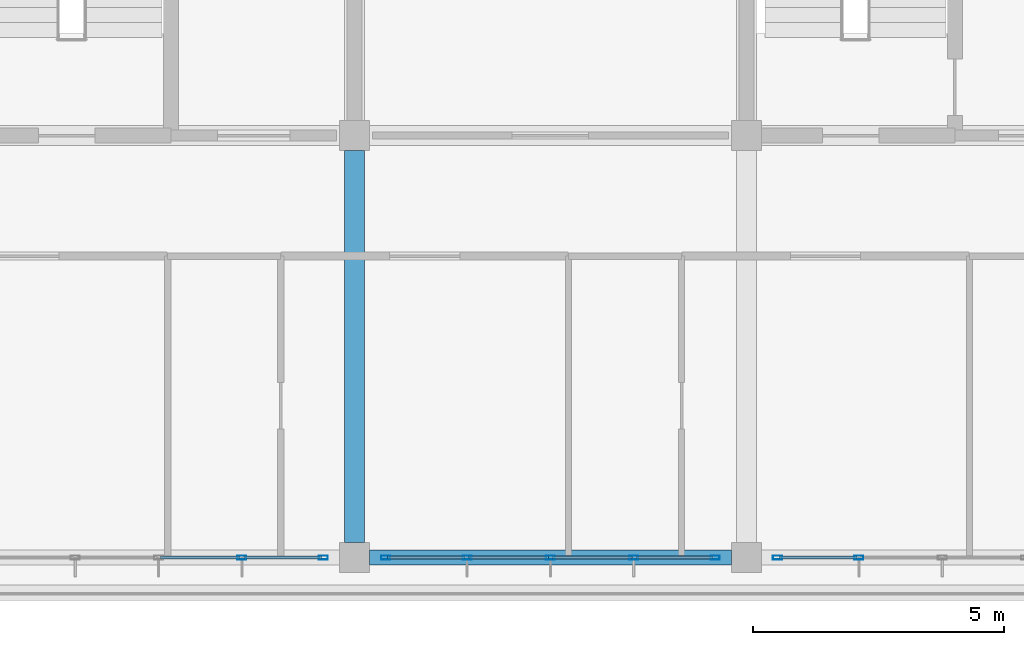
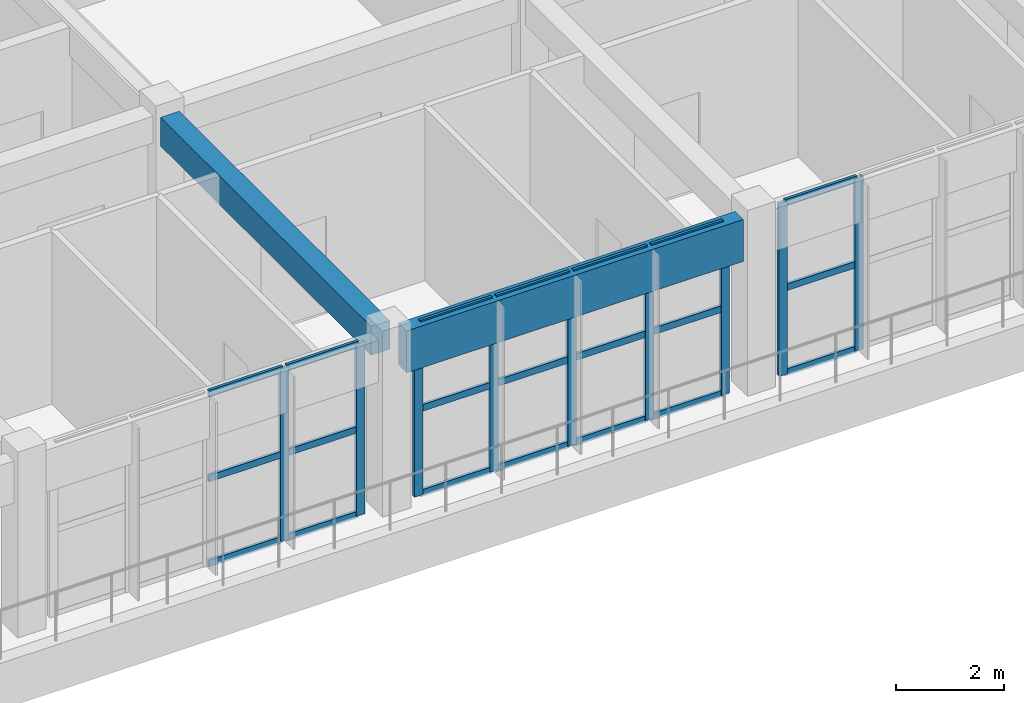
# One storey, part 20 of 56: 30 members, 2 beams, 3 elements without a shape of their own.
"""IFC4 building model written with IfcOpenShell, lengths in metres."""

from ifc_helpers import new_model, si_unit, direction, frame, origin, origin_2d, place, context, subcontext, project, spatial, rectangle, hollow_rectangle, extrude, material, layer, layer_set, material_profile, profile_set, type_object, element, aggregate, save


model = new_model("IFC4")

# Units and contexts
model_context = context("Model", 3, precision=1e-05, world=origin(), true_north=direction((0.0, 1.0)))
body_context = subcontext(model_context, "Body", "Model", "MODEL_VIEW")
ifc_project = project(units=[si_unit("LENGTHUNIT", "METRE"), si_unit("AREAUNIT", "SQUARE_METRE"), si_unit("VOLUMEUNIT", "CUBIC_METRE"), si_unit("PLANEANGLEUNIT", "RADIAN"), si_unit("MASSUNIT", "GRAM", prefix="KILO")], contexts=[model_context])

# Site, building, storey
site_placement = place(None, origin())
site = spatial("IfcSite", under=ifc_project, at=site_placement, CompositionType="ELEMENT")
building_placement = place(site_placement, origin())
building = spatial("IfcBuilding", under=site, at=building_placement, Name="Zizhar Promenade General Hospital", CompositionType="ELEMENT")
storey_placement = place(building_placement, frame((0.0, 0.0, 26.39990234375)))
storey = spatial("IfcBuildingStorey", under=building, at=storey_placement, Name="L06", CompositionType="ELEMENT", Elevation=26.39990234375)

# Beams
ifc_material_1 = material(Name="Precast concrete C40/50", Category="concrete")
ifc_material_profile_1 = material_profile(ifc_material_1, rectangle(XDim=0.300048828125, YDim=0.949951171875, at=origin_2d()))
ifc_profile_set_1 = profile_set([ifc_material_profile_1], Name="Precast concrete C40/50")
beam_type_1 = type_object("IfcBeamType", Name="BM-PC-BAND950", PredefinedType="SPANDREL", material=ifc_profile_set_1)
beam_1_placement = place(storey_placement, frame((86.10009765625, 0.0, 3.43505859375), z_axis=(1.0, 0.0, 0.0), x_axis=(0.0, 1.0, 0.0)))
element("IfcBeam", 1, at=beam_1_placement, inside=storey, type_object=beam_type_1, Name="Grid Beam X L06 (11-0)", PredefinedType="SPANDREL", context=body_context, shape_type="SweptSolid", body=[
    extrude(rectangle(XDim=0.300048828125, YDim=0.949951171875, at=origin_2d()), origin(), (0.0, 0.0, 1.0), 7.199951171875),
])
ifc_material_2 = material(Name="Concrete C35/45", Category="concrete")
ifc_material_profile_2 = material_profile(ifc_material_2, rectangle(XDim=0.39990234375, YDim=0.64990234375, at=origin_2d()))
ifc_profile_set_2 = profile_set([ifc_material_profile_2], Name="Concrete C35/45")
beam_type_2 = type_object("IfcBeamType", Name="BM-RC-400x650", PredefinedType="BEAM", material=ifc_profile_set_2)
beam_2_placement = place(storey_placement, frame((85.800048828125, 0.300048828125, 3.585205078125), z_axis=(0.0, 1.0, 0.0), x_axis=(-1.0, 0.0, 0.0)))
element("IfcBeam", 2, at=beam_2_placement, inside=storey, type_object=beam_type_2, Name="Grid Beam Y L06 (11-0)", PredefinedType="BEAM", context=body_context, shape_type="SweptSolid", body=[
    extrude(rectangle(XDim=0.39990234375, YDim=0.64990234375, at=origin_2d()), origin(), (0.0, 0.0, 1.0), 7.800048828125),
])

# Curtain wall, members
ifc_material_3 = material(Name="Anodised aluminium 6063-T6 and low-E glass", Category="aluminium")
ifc_layer = layer(ifc_material_3, 0.159912109375)
ifc_layer_set = layer_set([ifc_layer], Name="Anodised aluminium 6063-T6 and low-E glass")
curtain_wall_type = type_object("IfcCurtainWallType", Name="CW-WARD-RIB", PredefinedType="NOTDEFINED", material=ifc_layer_set)
curtain_wall_1_placement = place(storey_placement, origin())
curtain_wall_1 = element("IfcCurtainWall", 3, at=curtain_wall_1_placement, inside=storey, type_object=curtain_wall_type, Name="Ward Ribbon Curtain Wall L06-17-2", PredefinedType="NOTDEFINED")
ifc_material_4 = material(Name="Anodised aluminium 6063-T6", Category="aluminium")
ifc_material_profile_3 = material_profile(ifc_material_4, hollow_rectangle(XDim=0.080078125, YDim=0.179931640625, WallThickness=0.0048828125, at=origin_2d()))
ifc_profile_set_3 = profile_set([ifc_material_profile_3], Name="Anodised aluminium 6063-T6")
member_type_1 = type_object("IfcMemberType", Name="CWM-ALU-180x80", PredefinedType="MULLION", material=ifc_profile_set_3)
member_1_placement = place(storey_placement, frame((95.840087890625, 0.0, 0.0), z_axis=(0.0, 0.0, 1.0), x_axis=(0.0, -1.0, 0.0)))
member_1 = element("IfcMember", 4, at=member_1_placement, type_object=member_type_1, Name="CW-13 mullion 4", PredefinedType="MULLION", context=body_context, shape_type="SweptSolid", body=[
    extrude(hollow_rectangle(XDim=0.080078125, YDim=0.179931640625, WallThickness=0.0048828125, at=origin_2d()), origin(), (0.0, 0.0, 1.0), 3.900146484375),
])
member_2_placement = place(storey_placement, frame((94.219970703125, 0.0, 0.0), z_axis=(0.0, 0.0, 1.0), x_axis=(0.0, -1.0, 0.0)))
member_2 = element("IfcMember", 5, at=member_2_placement, type_object=member_type_1, Name="CW-13 mullion 5", PredefinedType="MULLION", context=body_context, shape_type="SweptSolid", body=[
    extrude(hollow_rectangle(XDim=0.080078125, YDim=0.179931640625, WallThickness=0.0048828125, at=origin_2d()), origin(), (0.0, 0.0, 1.0), 3.900146484375),
])

curtain_wall_2_placement = place(storey_placement, origin())
curtain_wall_2 = element("IfcCurtainWall", 6, at=curtain_wall_2_placement, inside=storey, type_object=curtain_wall_type, Name="Ward Ribbon Curtain Wall L06-17-3", PredefinedType="NOTDEFINED")
member_3_placement = place(storey_placement, frame((92.97998046875, 0.0, 0.0), z_axis=(0.0, 0.0, 1.0), x_axis=(0.0, -1.0, 0.0)))
member_3 = element("IfcMember", 7, at=member_3_placement, type_object=member_type_1, Name="CW-13 mullion 1", PredefinedType="MULLION", context=body_context, shape_type="SweptSolid", body=[
    extrude(hollow_rectangle(XDim=0.080078125, YDim=0.179931640625, WallThickness=0.0048828125, at=origin_2d()), origin(), (0.0, 0.0, 1.0), 3.900146484375),
])
member_4_placement = place(storey_placement, frame((91.360107421875, 0.0, 0.0), z_axis=(0.0, 0.0, 1.0), x_axis=(0.0, -1.0, 0.0)))
member_4 = element("IfcMember", 8, at=member_4_placement, type_object=member_type_1, Name="CW-13 mullion 2", PredefinedType="MULLION", context=body_context, shape_type="SweptSolid", body=[
    extrude(hollow_rectangle(XDim=0.080078125, YDim=0.179931640625, WallThickness=0.0048828125, at=origin_2d()), origin(), (0.0, 0.0, 1.0), 3.900146484375),
])
member_5_placement = place(storey_placement, frame((89.699951171875, 0.0, 0.0), z_axis=(0.0, 0.0, 1.0), x_axis=(0.0, -1.0, 0.0)))
member_5 = element("IfcMember", 9, at=member_5_placement, type_object=member_type_1, Name="CW-13 mullion 3", PredefinedType="MULLION", context=body_context, shape_type="SweptSolid", body=[
    extrude(hollow_rectangle(XDim=0.080078125, YDim=0.179931640625, WallThickness=0.0048828125, at=origin_2d()), origin(), (0.0, 0.0, 1.0), 3.900146484375),
])
member_6_placement = place(storey_placement, frame((88.0400390625, 0.0, 0.0), z_axis=(0.0, 0.0, 1.0), x_axis=(0.0, -1.0, 0.0)))
member_6 = element("IfcMember", 10, at=member_6_placement, type_object=member_type_1, Name="CW-13 mullion 4", PredefinedType="MULLION", context=body_context, shape_type="SweptSolid", body=[
    extrude(hollow_rectangle(XDim=0.080078125, YDim=0.179931640625, WallThickness=0.0048828125, at=origin_2d()), origin(), (0.0, 0.0, 1.0), 3.900146484375),
])
member_7_placement = place(storey_placement, frame((86.419921875, 0.0, 0.0), z_axis=(0.0, 0.0, 1.0), x_axis=(0.0, -1.0, 0.0)))
member_7 = element("IfcMember", 11, at=member_7_placement, type_object=member_type_1, Name="CW-13 mullion 5", PredefinedType="MULLION", context=body_context, shape_type="SweptSolid", body=[
    extrude(hollow_rectangle(XDim=0.080078125, YDim=0.179931640625, WallThickness=0.0048828125, at=origin_2d()), origin(), (0.0, 0.0, 1.0), 3.900146484375),
])

curtain_wall_3_placement = place(storey_placement, origin())
curtain_wall_3 = element("IfcCurtainWall", 12, at=curtain_wall_3_placement, inside=storey, type_object=curtain_wall_type, Name="Ward Ribbon Curtain Wall L06-17-4", PredefinedType="NOTDEFINED")
member_8_placement = place(storey_placement, frame((85.179931640625, 0.0, 0.0), z_axis=(0.0, 0.0, 1.0), x_axis=(0.0, -1.0, 0.0)))
member_8 = element("IfcMember", 13, at=member_8_placement, type_object=member_type_1, Name="CW-13 mullion 1", PredefinedType="MULLION", context=body_context, shape_type="SweptSolid", body=[
    extrude(hollow_rectangle(XDim=0.080078125, YDim=0.179931640625, WallThickness=0.0048828125, at=origin_2d()), origin(), (0.0, 0.0, 1.0), 3.900146484375),
])
member_9_placement = place(storey_placement, frame((83.56005859375, 0.0, 0.0), z_axis=(0.0, 0.0, 1.0), x_axis=(0.0, -1.0, 0.0)))
member_9 = element("IfcMember", 14, at=member_9_placement, type_object=member_type_1, Name="CW-13 mullion 2", PredefinedType="MULLION", context=body_context, shape_type="SweptSolid", body=[
    extrude(hollow_rectangle(XDim=0.080078125, YDim=0.179931640625, WallThickness=0.0048828125, at=origin_2d()), origin(), (0.0, 0.0, 1.0), 3.900146484375),
])

# Member
ifc_material_5 = material(Name="Anodised aluminium 6063-T6", Category="aluminium")
ifc_material_profile_4 = material_profile(ifc_material_5, hollow_rectangle(XDim=0.06005859375, YDim=0.14990234375, WallThickness=0.00390625, at=origin_2d()))
ifc_profile_set_4 = profile_set([ifc_material_profile_4], Name="Anodised aluminium 6063-T6")
member_type_2 = type_object("IfcMemberType", Name="CWT-ALU-150x60", PredefinedType="USERDEFINED", material=ifc_profile_set_4)
member_10_placement = place(storey_placement, frame((95.800048828125, 0.0, 0.030029296875), z_axis=(-1.0, 0.0, 0.0), x_axis=(0.0, -1.0, 0.0)))
member_10 = element("IfcMember", 15, at=member_10_placement, type_object=member_type_2, Name="CW-13 transom 4.1", ObjectType="TRANSOM", PredefinedType="USERDEFINED", context=body_context, shape_type="SweptSolid", body=[
    extrude(hollow_rectangle(XDim=0.06005859375, YDim=0.14990234375, WallThickness=0.00390625, at=origin_2d()), origin(), (0.0, 0.0, 1.0), 1.5400390625),
])

member_11_placement = place(storey_placement, frame((95.800048828125, 0.0, 1.9501953125), z_axis=(-1.0, 0.0, 0.0), x_axis=(0.0, -1.0, 0.0)))
member_11 = element("IfcMember", 16, at=member_11_placement, type_object=member_type_2, Name="CW-13 transom 4.2", ObjectType="TRANSOM", PredefinedType="USERDEFINED", context=body_context, shape_type="SweptSolid", body=[
    extrude(hollow_rectangle(XDim=0.06005859375, YDim=0.14990234375, WallThickness=0.00390625, at=origin_2d()), origin(), (0.0, 0.0, 1.0), 1.5400390625),
])

member_12_placement = place(storey_placement, frame((95.800048828125, 0.0, 3.8701171875), z_axis=(-1.0, 0.0, 0.0), x_axis=(0.0, -1.0, 0.0)))
member_12 = element("IfcMember", 17, at=member_12_placement, type_object=member_type_2, Name="CW-13 transom 4.3", ObjectType="TRANSOM", PredefinedType="USERDEFINED", context=body_context, shape_type="SweptSolid", body=[
    extrude(hollow_rectangle(XDim=0.06005859375, YDim=0.14990234375, WallThickness=0.00390625, at=origin_2d()), origin(), (0.0, 0.0, 1.0), 1.5400390625),
])

aggregate(curtain_wall_1, [member_1, member_2, member_10, member_11, member_12])

member_13_placement = place(storey_placement, frame((92.93994140625, 0.0, 0.030029296875), z_axis=(-1.0, 0.0, 0.0), x_axis=(0.0, -1.0, 0.0)))
member_13 = element("IfcMember", 18, at=member_13_placement, type_object=member_type_2, Name="CW-13 transom 1.1", ObjectType="TRANSOM", PredefinedType="USERDEFINED", context=body_context, shape_type="SweptSolid", body=[
    extrude(hollow_rectangle(XDim=0.06005859375, YDim=0.14990234375, WallThickness=0.00390625, at=origin_2d()), origin(), (0.0, 0.0, 1.0), 1.5400390625),
])

member_14_placement = place(storey_placement, frame((92.93994140625, 0.0, 1.9501953125), z_axis=(-1.0, 0.0, 0.0), x_axis=(0.0, -1.0, 0.0)))
member_14 = element("IfcMember", 19, at=member_14_placement, type_object=member_type_2, Name="CW-13 transom 1.2", ObjectType="TRANSOM", PredefinedType="USERDEFINED", context=body_context, shape_type="SweptSolid", body=[
    extrude(hollow_rectangle(XDim=0.06005859375, YDim=0.14990234375, WallThickness=0.00390625, at=origin_2d()), origin(), (0.0, 0.0, 1.0), 1.5400390625),
])

member_15_placement = place(storey_placement, frame((92.93994140625, 0.0, 3.8701171875), z_axis=(-1.0, 0.0, 0.0), x_axis=(0.0, -1.0, 0.0)))
member_15 = element("IfcMember", 20, at=member_15_placement, type_object=member_type_2, Name="CW-13 transom 1.3", ObjectType="TRANSOM", PredefinedType="USERDEFINED", context=body_context, shape_type="SweptSolid", body=[
    extrude(hollow_rectangle(XDim=0.06005859375, YDim=0.14990234375, WallThickness=0.00390625, at=origin_2d()), origin(), (0.0, 0.0, 1.0), 1.5400390625),
])

member_16_placement = place(storey_placement, frame((91.320068359375, 0.0, 0.030029296875), z_axis=(-1.0, 0.0, 0.0), x_axis=(0.0, -1.0, 0.0)))
member_16 = element("IfcMember", 21, at=member_16_placement, type_object=member_type_2, Name="CW-13 transom 2.1", ObjectType="TRANSOM", PredefinedType="USERDEFINED", context=body_context, shape_type="SweptSolid", body=[
    extrude(hollow_rectangle(XDim=0.06005859375, YDim=0.14990234375, WallThickness=0.00390625, at=origin_2d()), origin(), (0.0, 0.0, 1.0), 1.580078125),
])

member_17_placement = place(storey_placement, frame((91.320068359375, 0.0, 1.9501953125), z_axis=(-1.0, 0.0, 0.0), x_axis=(0.0, -1.0, 0.0)))
member_17 = element("IfcMember", 22, at=member_17_placement, type_object=member_type_2, Name="CW-13 transom 2.2", ObjectType="TRANSOM", PredefinedType="USERDEFINED", context=body_context, shape_type="SweptSolid", body=[
    extrude(hollow_rectangle(XDim=0.06005859375, YDim=0.14990234375, WallThickness=0.00390625, at=origin_2d()), origin(), (0.0, 0.0, 1.0), 1.580078125),
])

member_18_placement = place(storey_placement, frame((91.320068359375, 0.0, 3.8701171875), z_axis=(-1.0, 0.0, 0.0), x_axis=(0.0, -1.0, 0.0)))
member_18 = element("IfcMember", 23, at=member_18_placement, type_object=member_type_2, Name="CW-13 transom 2.3", ObjectType="TRANSOM", PredefinedType="USERDEFINED", context=body_context, shape_type="SweptSolid", body=[
    extrude(hollow_rectangle(XDim=0.06005859375, YDim=0.14990234375, WallThickness=0.00390625, at=origin_2d()), origin(), (0.0, 0.0, 1.0), 1.580078125),
])

member_19_placement = place(storey_placement, frame((89.659912109375, 0.0, 0.030029296875), z_axis=(-1.0, 0.0, 0.0), x_axis=(0.0, -1.0, 0.0)))
member_19 = element("IfcMember", 24, at=member_19_placement, type_object=member_type_2, Name="CW-13 transom 3.1", ObjectType="TRANSOM", PredefinedType="USERDEFINED", context=body_context, shape_type="SweptSolid", body=[
    extrude(hollow_rectangle(XDim=0.06005859375, YDim=0.14990234375, WallThickness=0.00390625, at=origin_2d()), origin(), (0.0, 0.0, 1.0), 1.579833984375),
])

member_20_placement = place(storey_placement, frame((89.659912109375, 0.0, 1.9501953125), z_axis=(-1.0, 0.0, 0.0), x_axis=(0.0, -1.0, 0.0)))
member_20 = element("IfcMember", 25, at=member_20_placement, type_object=member_type_2, Name="CW-13 transom 3.2", ObjectType="TRANSOM", PredefinedType="USERDEFINED", context=body_context, shape_type="SweptSolid", body=[
    extrude(hollow_rectangle(XDim=0.06005859375, YDim=0.14990234375, WallThickness=0.00390625, at=origin_2d()), origin(), (0.0, 0.0, 1.0), 1.579833984375),
])

member_21_placement = place(storey_placement, frame((89.659912109375, 0.0, 3.8701171875), z_axis=(-1.0, 0.0, 0.0), x_axis=(0.0, -1.0, 0.0)))
member_21 = element("IfcMember", 26, at=member_21_placement, type_object=member_type_2, Name="CW-13 transom 3.3", ObjectType="TRANSOM", PredefinedType="USERDEFINED", context=body_context, shape_type="SweptSolid", body=[
    extrude(hollow_rectangle(XDim=0.06005859375, YDim=0.14990234375, WallThickness=0.00390625, at=origin_2d()), origin(), (0.0, 0.0, 1.0), 1.579833984375),
])

member_22_placement = place(storey_placement, frame((88.0, 0.0, 0.030029296875), z_axis=(-1.0, 0.0, 0.0), x_axis=(0.0, -1.0, 0.0)))
member_22 = element("IfcMember", 27, at=member_22_placement, type_object=member_type_2, Name="CW-13 transom 4.1", ObjectType="TRANSOM", PredefinedType="USERDEFINED", context=body_context, shape_type="SweptSolid", body=[
    extrude(hollow_rectangle(XDim=0.06005859375, YDim=0.14990234375, WallThickness=0.00390625, at=origin_2d()), origin(), (0.0, 0.0, 1.0), 1.5400390625),
])

member_23_placement = place(storey_placement, frame((88.0, 0.0, 1.9501953125), z_axis=(-1.0, 0.0, 0.0), x_axis=(0.0, -1.0, 0.0)))
member_23 = element("IfcMember", 28, at=member_23_placement, type_object=member_type_2, Name="CW-13 transom 4.2", ObjectType="TRANSOM", PredefinedType="USERDEFINED", context=body_context, shape_type="SweptSolid", body=[
    extrude(hollow_rectangle(XDim=0.06005859375, YDim=0.14990234375, WallThickness=0.00390625, at=origin_2d()), origin(), (0.0, 0.0, 1.0), 1.5400390625),
])

member_24_placement = place(storey_placement, frame((88.0, 0.0, 3.8701171875), z_axis=(-1.0, 0.0, 0.0), x_axis=(0.0, -1.0, 0.0)))
member_24 = element("IfcMember", 29, at=member_24_placement, type_object=member_type_2, Name="CW-13 transom 4.3", ObjectType="TRANSOM", PredefinedType="USERDEFINED", context=body_context, shape_type="SweptSolid", body=[
    extrude(hollow_rectangle(XDim=0.06005859375, YDim=0.14990234375, WallThickness=0.00390625, at=origin_2d()), origin(), (0.0, 0.0, 1.0), 1.5400390625),
])

aggregate(curtain_wall_2, [member_3, member_4, member_5, member_6, member_7, member_13, member_14, member_15, member_16, member_17, member_18, member_19, member_20, member_21, member_22, member_23, member_24])

member_25_placement = place(storey_placement, frame((85.139892578125, 0.0, 0.030029296875), z_axis=(-1.0, 0.0, 0.0), x_axis=(0.0, -1.0, 0.0)))
member_25 = element("IfcMember", 30, at=member_25_placement, type_object=member_type_2, Name="CW-13 transom 1.1", ObjectType="TRANSOM", PredefinedType="USERDEFINED", context=body_context, shape_type="SweptSolid", body=[
    extrude(hollow_rectangle(XDim=0.06005859375, YDim=0.14990234375, WallThickness=0.00390625, at=origin_2d()), origin(), (0.0, 0.0, 1.0), 1.539794921875),
])

member_26_placement = place(storey_placement, frame((85.139892578125, 0.0, 1.9501953125), z_axis=(-1.0, 0.0, 0.0), x_axis=(0.0, -1.0, 0.0)))
member_26 = element("IfcMember", 31, at=member_26_placement, type_object=member_type_2, Name="CW-13 transom 1.2", ObjectType="TRANSOM", PredefinedType="USERDEFINED", context=body_context, shape_type="SweptSolid", body=[
    extrude(hollow_rectangle(XDim=0.06005859375, YDim=0.14990234375, WallThickness=0.00390625, at=origin_2d()), origin(), (0.0, 0.0, 1.0), 1.539794921875),
])

member_27_placement = place(storey_placement, frame((85.139892578125, 0.0, 3.8701171875), z_axis=(-1.0, 0.0, 0.0), x_axis=(0.0, -1.0, 0.0)))
member_27 = element("IfcMember", 32, at=member_27_placement, type_object=member_type_2, Name="CW-13 transom 1.3", ObjectType="TRANSOM", PredefinedType="USERDEFINED", context=body_context, shape_type="SweptSolid", body=[
    extrude(hollow_rectangle(XDim=0.06005859375, YDim=0.14990234375, WallThickness=0.00390625, at=origin_2d()), origin(), (0.0, 0.0, 1.0), 1.539794921875),
])

member_28_placement = place(storey_placement, frame((83.52001953125, 0.0, 0.030029296875), z_axis=(-1.0, 0.0, 0.0), x_axis=(0.0, -1.0, 0.0)))
member_28 = element("IfcMember", 33, at=member_28_placement, type_object=member_type_2, Name="CW-13 transom 2.1", ObjectType="TRANSOM", PredefinedType="USERDEFINED", context=body_context, shape_type="SweptSolid", body=[
    extrude(hollow_rectangle(XDim=0.06005859375, YDim=0.14990234375, WallThickness=0.00390625, at=origin_2d()), origin(), (0.0, 0.0, 1.0), 1.580078125),
])

member_29_placement = place(storey_placement, frame((83.52001953125, 0.0, 1.9501953125), z_axis=(-1.0, 0.0, 0.0), x_axis=(0.0, -1.0, 0.0)))
member_29 = element("IfcMember", 34, at=member_29_placement, type_object=member_type_2, Name="CW-13 transom 2.2", ObjectType="TRANSOM", PredefinedType="USERDEFINED", context=body_context, shape_type="SweptSolid", body=[
    extrude(hollow_rectangle(XDim=0.06005859375, YDim=0.14990234375, WallThickness=0.00390625, at=origin_2d()), origin(), (0.0, 0.0, 1.0), 1.580078125),
])

member_30_placement = place(storey_placement, frame((83.52001953125, 0.0, 3.8701171875), z_axis=(-1.0, 0.0, 0.0), x_axis=(0.0, -1.0, 0.0)))
member_30 = element("IfcMember", 35, at=member_30_placement, type_object=member_type_2, Name="CW-13 transom 2.3", ObjectType="TRANSOM", PredefinedType="USERDEFINED", context=body_context, shape_type="SweptSolid", body=[
    extrude(hollow_rectangle(XDim=0.06005859375, YDim=0.14990234375, WallThickness=0.00390625, at=origin_2d()), origin(), (0.0, 0.0, 1.0), 1.580078125),
])

aggregate(curtain_wall_3, [member_8, member_9, member_25, member_26, member_27, member_28, member_29, member_30])

save(model, "model.ifc")
